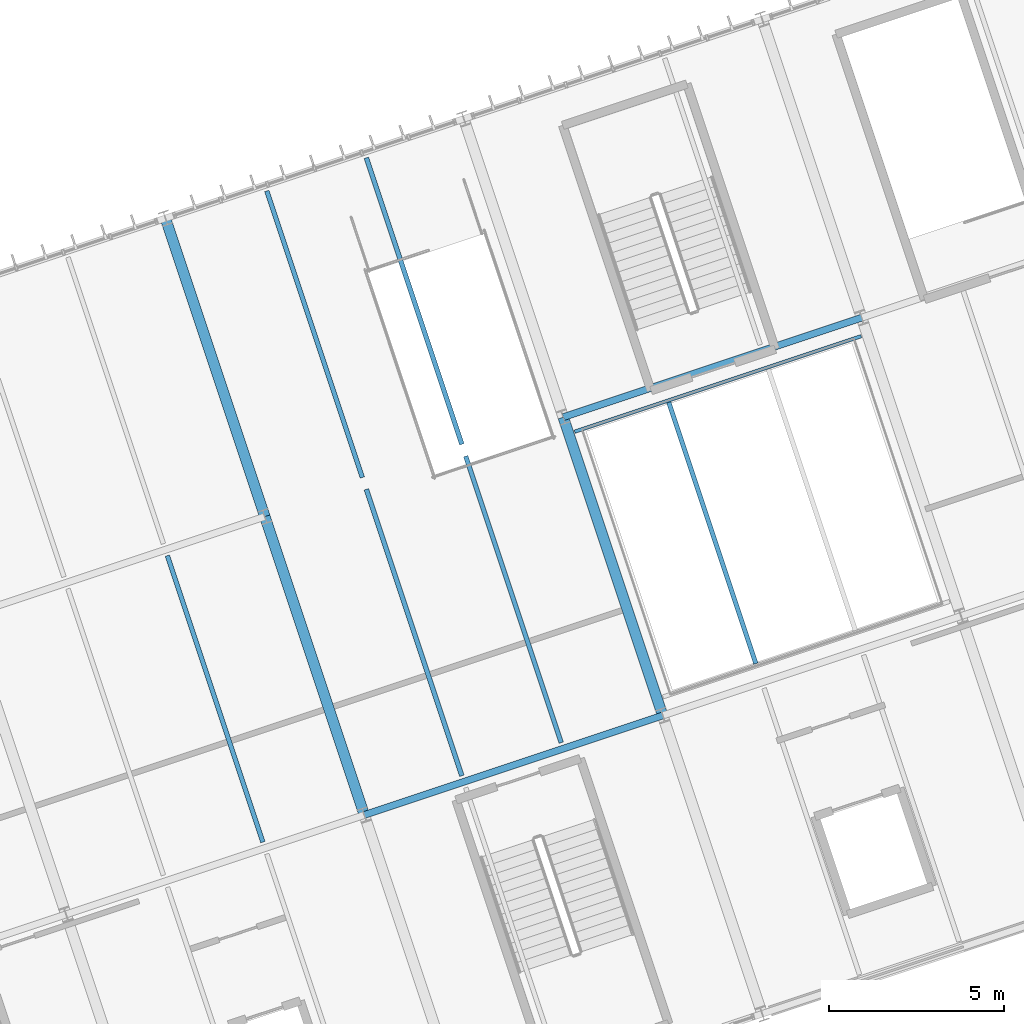
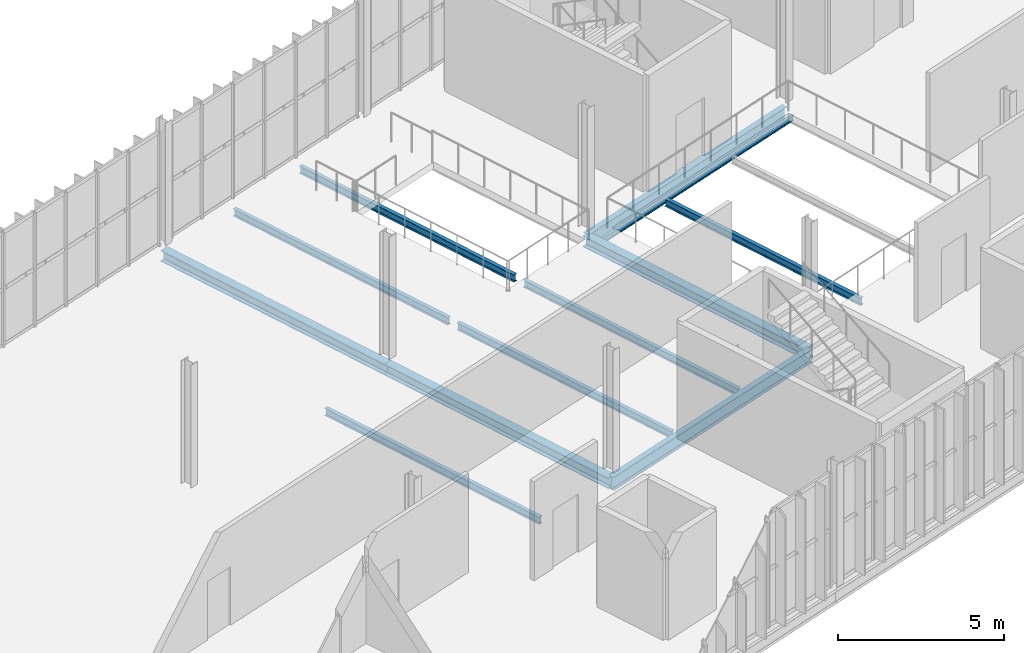
# One storey, part 35 of 152: 12 beams.
"""IFC4 building model written with IfcOpenShell, lengths in metres."""

import ifcopenshell
import ifcopenshell.guid

model = None  # the IFC model being written
_history = None  # IfcOwnerHistory: only IFC2X3 demands one
_inside = {}  # id of a spatial element -> (the spatial element, [elements in it])
_under = {}  # id of a project, library or spatial element -> (it, [spatial elements below it])
_declared = {}  # id of a project -> (the project, [libraries it declares])
_typed = {}  # id of a type object -> (the type object, [elements of that type])
_made_of = {}  # id of a material, layer set ... -> (it, [elements and type objects made of it])


def new_model(schema):
    """Start an empty IFC model of exactly this schema.

    Asked for "IFC4X3", IfcOpenShell would pick the latest addendum, in which some entities
    have other attributes; the version numbers below select the first issue.
    IFC2X3 requires an IfcOwnerHistory on every rooted entity: one is made here for all.
    """
    global model, _history
    if schema == "IFC4X3":
        model = ifcopenshell.file(schema_version=(4, 3, 0, 0))
    else:
        model = ifcopenshell.file(schema=schema)
    _inside.clear()
    _under.clear()
    _declared.clear()
    _typed.clear()
    _made_of.clear()
    _history = None
    if model.schema == "IFC2X3":
        org = make("IfcOrganization", Name="unknown")
        user = make(
            "IfcPersonAndOrganization",
            ThePerson=make("IfcPerson", FamilyName="unknown"),
            TheOrganization=org,
        )
        app = make(
            "IfcApplication",
            ApplicationDeveloper=org,
            Version="unknown",
            ApplicationFullName="unknown",
            ApplicationIdentifier="unknown",
        )
        _history = make(
            "IfcOwnerHistory",
            OwningUser=user,
            OwningApplication=app,
            ChangeAction="ADDED",
            CreationDate=0,
        )
    return model


def make(cls, **values):
    """One entity of the class cls with the attributes given. An attribute that is None is left unset."""
    return model.create_entity(
        cls, **{name: value for name, value in values.items() if value is not None}
    )


def rooted(cls, **values):
    """An entity with a GlobalId (a new one), such as an element, a storey or a relation."""
    return make(cls, GlobalId=ifcopenshell.guid.new(), OwnerHistory=_history, **values)


def si_unit(unit_type, name, prefix=None):
    """IfcSIUnit, for example si_unit("LENGTHUNIT", "METRE", prefix="MILLI")."""
    return make("IfcSIUnit", UnitType=unit_type, Prefix=prefix, Name=name)


def derived_unit(unit_type, elements):
    """IfcDerivedUnit: a product of units, each with its exponent."""
    return make(
        "IfcDerivedUnit",
        Elements=[
            make("IfcDerivedUnitElement", Unit=unit, Exponent=power)
            for unit, power in elements
        ],
        UnitType=unit_type,
    )


def assignment(units):
    """IfcUnitAssignment: the units of a project."""
    return None if units is None else make("IfcUnitAssignment", Units=units)


def point(xyz):
    """IfcCartesianPoint."""
    return None if xyz is None else make("IfcCartesianPoint", Coordinates=xyz)


def direction(xyz):
    """IfcDirection."""
    return None if xyz is None else make("IfcDirection", DirectionRatios=xyz)


def frame(location, z_axis=None, x_axis=None):
    """IfcAxis2Placement3D, a coordinate frame: its origin and axes. An axis left out is left unset."""
    return make(
        "IfcAxis2Placement3D",
        Location=point(location),
        Axis=direction(z_axis),
        RefDirection=direction(x_axis),
    )


def frame_2d(location, x_axis=None):
    """IfcAxis2Placement2D, a coordinate frame in the plane: its origin and x axis."""
    return make(
        "IfcAxis2Placement2D", Location=point(location), RefDirection=direction(x_axis)
    )


def origin():
    """The frame at (0, 0, 0) with its axes left unset."""
    return frame((0.0, 0.0, 0.0))


def origin_2d():
    """The frame at (0, 0) in the plane with its x axis left unset."""
    return frame_2d((0.0, 0.0))


def place(relative_to, where):
    """IfcLocalPlacement: puts the frame where relative to a parent placement (None: the world)."""
    return make(
        "IfcLocalPlacement", PlacementRelTo=relative_to, RelativePlacement=where
    )


def context(
    kind, dimensions, precision=None, world=None, true_north=None, identifier=None
):
    """IfcGeometricRepresentationContext, for example the 3D "Model" context."""
    return make(
        "IfcGeometricRepresentationContext",
        ContextIdentifier=identifier,
        ContextType=kind,
        CoordinateSpaceDimension=dimensions,
        Precision=precision,
        WorldCoordinateSystem=world,
        TrueNorth=true_north,
    )


def subcontext(parent, identifier, kind, view, scale=None):
    """IfcGeometricRepresentationSubContext, for example "Body" below "Model"."""
    return make(
        "IfcGeometricRepresentationSubContext",
        ContextIdentifier=identifier,
        ContextType=kind,
        ParentContext=parent,
        TargetScale=scale,
        TargetView=view,
    )


def project(units=None, contexts=None):
    """IfcProject with its units and contexts."""
    return rooted(
        "IfcProject",
        Name="project",
        RepresentationContexts=contexts,
        UnitsInContext=assignment(units),
    )


def spatial(cls, under=None, at=None, **own):
    """A site, building, storey or space (cls), placed at a placement, below another one or the project."""
    s = rooted(cls, ObjectPlacement=at, **own)
    if under is not None:
        _under.setdefault(under.id(), (under, []))[1].append(s)
    return s


def profile(cls, at=None, kind="AREA", **sizes):
    """A parametric profile (cls). Its sizes go by their IFC names, for example OverallWidth=200.0."""
    return make(cls, ProfileType=kind, Position=at, **sizes)


def i_section(**sizes):
    """IfcIShapeProfileDef."""
    return profile("IfcIShapeProfileDef", **sizes)


def extrude(swept, where, along, depth):
    """IfcExtrudedAreaSolid: the profile swept, set in the frame where, extruded along a direction by depth."""
    return make(
        "IfcExtrudedAreaSolid",
        SweptArea=swept,
        Position=where,
        ExtrudedDirection=direction(along),
        Depth=depth,
    )


def shape(context_of_items, identifier, shape_type, items):
    """IfcShapeRepresentation: the items that make up one representation, for example the "Body"."""
    return make(
        "IfcShapeRepresentation",
        ContextOfItems=context_of_items,
        RepresentationIdentifier=identifier,
        RepresentationType=shape_type,
        Items=items,
    )


def material(Name=None, Category=None):
    """IfcMaterial."""
    return make("IfcMaterial", Name=Name, Category=Category)


def material_profile(
    of_material, cross_section, Name=None, Category=None, Priority=None
):
    """IfcMaterialProfile: a cross section and its material."""
    return make(
        "IfcMaterialProfile",
        Name=Name,
        Material=of_material,
        Profile=cross_section,
        Priority=Priority,
        Category=Category,
    )


def profile_set(profiles, Name=None, composite=None):
    """IfcMaterialProfileSet."""
    return make(
        "IfcMaterialProfileSet",
        Name=Name,
        MaterialProfiles=profiles,
        CompositeProfile=composite,
    )


def made_of(thing, what):
    """Note that an element or type object is made of a material, layer set ...; save() writes the relation."""
    if what is not None:
        _made_of.setdefault(what.id(), (what, []))[1].append(thing)
    return thing


def type_object(cls, material=None, **own):
    """A type object (cls), such as IfcWallType, which elements share."""
    return made_of(rooted(cls, **own), material)


def element(
    cls,
    number,
    at=None,
    inside=None,
    cuts=None,
    type_object=None,
    material=None,
    context=None,
    identifier="Body",
    shape_type=None,
    held_by="IfcProductDefinitionShape",
    body=None,
    shapes=None,
    **own,
):
    """One element of the class cls, such as IfcWall. Its Tag is "e" and its number.

    at: its placement. inside: the storey or other place that contains it. cuts: it is an
    opening in that element (IfcRelVoidsElement). A single representation is given by context,
    identifier, shape_type and body (its items); several are given by shapes. held_by: the class
    of the entity that holds the representations. save() writes the other relations.
    """
    e = rooted(cls, Tag="e%d" % number, ObjectPlacement=at, **own)
    if body is not None:
        shapes = [shape(context, identifier, shape_type, body)]
    if shapes is not None:
        e.Representation = make(held_by, Representations=shapes)
    if inside is not None:
        _inside.setdefault(inside.id(), (inside, []))[1].append(e)
    if cuts is not None:
        rooted(
            "IfcRelVoidsElement", RelatingBuildingElement=cuts, RelatedOpeningElement=e
        )
    if type_object is not None:
        _typed.setdefault(type_object.id(), (type_object, []))[1].append(e)
    return made_of(e, material)


def aggregate(whole, parts):
    """IfcRelAggregates: a whole, such as a stair, and the parts it consists of."""
    return rooted("IfcRelAggregates", RelatingObject=whole, RelatedObjects=parts)


def save(model, path):
    """Write the relations noted so far, then the file.

    IfcRelAggregates (storeys below a building ...), IfcRelContainedInSpatialStructure (elements
    in a storey), IfcRelDefinesByType, IfcRelAssociatesMaterial and IfcRelDeclares: one each for
    every whole, place, type object, material and project.
    """
    for whole, parts in _under.values():
        aggregate(whole, parts)
    for where, things in _inside.values():
        rooted(
            "IfcRelContainedInSpatialStructure",
            RelatedElements=things,
            RelatingStructure=where,
        )
    for kind, things in _typed.values():
        rooted("IfcRelDefinesByType", RelatedObjects=things, RelatingType=kind)
    for what, things in _made_of.values():
        rooted("IfcRelAssociatesMaterial", RelatedObjects=things, RelatingMaterial=what)
    for by, libraries in _declared.values():
        rooted("IfcRelDeclares", RelatingContext=by, RelatedDefinitions=libraries)
    model.write(path)


model = new_model("IFC4")

# Units and contexts
model_context = context("Model", 3, precision=1e-05, world=origin(), true_north=direction((0.0, 1.0)))
body_context = subcontext(model_context, "Body", "Model", "MODEL_VIEW")
ifc_project = project(units=[si_unit("LENGTHUNIT", "METRE"), si_unit("AREAUNIT", "SQUARE_METRE"), si_unit("VOLUMEUNIT", "CUBIC_METRE"), si_unit("PLANEANGLEUNIT", "RADIAN"), si_unit("MASSUNIT", "GRAM", prefix="KILO"), si_unit("THERMODYNAMICTEMPERATUREUNIT", "KELVIN"), si_unit("TIMEUNIT", "SECOND"), derived_unit("THERMALTRANSMITTANCEUNIT", [(si_unit("MASSUNIT", "GRAM", prefix="KILO"), 1), (si_unit("THERMODYNAMICTEMPERATUREUNIT", "KELVIN"), -1), (si_unit("TIMEUNIT", "SECOND"), -3)])], contexts=[model_context])

# Site, building, storey
site_placement = place(None, origin())
site = spatial("IfcSite", under=ifc_project, at=site_placement, CompositionType="ELEMENT")
building_placement = place(site_placement, origin())
building = spatial("IfcBuilding", under=site, at=building_placement, Name="Cambertide Market Hall", CompositionType="ELEMENT")
storey_placement = place(building_placement, frame((0.0, 0.0, 5.39990234375)))
storey = spatial("IfcBuildingStorey", under=building, at=storey_placement, Name="L02", CompositionType="ELEMENT", Elevation=5.39990234375)

# Beams
ifc_material_1 = material(Name="Steel S355", Category="steel")
ifc_material_profile_1 = material_profile(ifc_material_1, i_section(OverallWidth=0.300048828125, OverallDepth=0.39990234375, WebThickness=0.013427734375, FlangeThickness=0.02392578125, FilletRadius=0.027099609375, at=origin_2d()), Name="HEB 400")
ifc_profile_set_1 = profile_set([ifc_material_profile_1], Name="Steel S355")
beam_type_1 = type_object("IfcBeamType", Name="Steel Girder HEB 400", PredefinedType="BEAM", material=ifc_profile_set_1)
for number, where, z_axis, x_axis, name in (
    (1, (128.768310546875, 29.076416015625, -0.449951171875), (-0.3162196279, 0.948686010717, 0.0), (-0.948686010717, -0.3162196279, 0.0), "Level 2 Beam BM-V3V-L02-4-2"),
    (2, (125.92236328125, 37.614501953125, -0.449951171875), (-0.3162196279, 0.948686010717, 0.0), (-0.948686010717, -0.3162196279, 0.0), "Level 2 Beam BM-V3V-L02-4-3"),
    (3, (137.306640625, 31.92236328125, -0.449951171875), (-0.31624404204, 0.948677872554, 0.0), (-0.948677872554, -0.31624404204, 0.0), "Level 2 Beam BM-V3V-L02-5-2"),
):
    element("IfcBeam", number, at=place(storey_placement, frame(where, z_axis=z_axis, x_axis=x_axis)), inside=storey, type_object=beam_type_1, Name=name, PredefinedType="BEAM", context=body_context, shape_type="SweptSolid", body=[
        extrude(i_section(OverallWidth=0.300048828125, OverallDepth=0.39990234375, WebThickness=0.013427734375, FlangeThickness=0.02392578125, FilletRadius=0.027099609375, at=origin_2d()), origin(), (0.0, 0.0, 1.0), 9.0),
    ])
ifc_material_2 = material(Name="Steel S355", Category="steel")
ifc_material_profile_2 = material_profile(ifc_material_2, i_section(OverallWidth=0.199951171875, OverallDepth=0.5, WebThickness=0.01025390625, FlangeThickness=0.01611328125, FilletRadius=0.02099609375, at=origin_2d()), Name="IPE 500")
ifc_profile_set_2 = profile_set([ifc_material_profile_2], Name="Steel S355")
beam_type_2 = type_object("IfcBeamType", Name="Steel Girder IPE 500", PredefinedType="BEAM", material=ifc_profile_set_2)
beam_1_placement = place(storey_placement, frame((128.768310546875, 29.076416015625, -0.5), z_axis=(0.948688723175, 0.316211490179, 0.0), x_axis=(-0.316211490179, 0.948688723175, 0.0)))
element("IfcBeam", 4, at=beam_1_placement, inside=storey, type_object=beam_type_2, Name="Level 2 Beam BM-V3U-L02-4-2", PredefinedType="BEAM", context=body_context, shape_type="SweptSolid", body=[
    extrude(i_section(OverallWidth=0.199951171875, OverallDepth=0.5, WebThickness=0.01025390625, FlangeThickness=0.01611328125, FilletRadius=0.02099609375, at=origin_2d()), origin(), (0.0, 0.0, 1.0), 9.000244140625),
])
beam_2_placement = place(storey_placement, frame((134.46044921875, 40.46044921875, -0.5), z_axis=(0.948677872554, 0.31624404204, 0.0), x_axis=(-0.31624404204, 0.948677872554, 0.0)))
element("IfcBeam", 5, at=beam_2_placement, inside=storey, type_object=beam_type_2, Name="Level 2 Beam BM-V3U-L02-5-3", PredefinedType="BEAM", context=body_context, shape_type="SweptSolid", body=[
    extrude(i_section(OverallWidth=0.199951171875, OverallDepth=0.5, WebThickness=0.01025390625, FlangeThickness=0.01611328125, FilletRadius=0.02099609375, at=origin_2d()), origin(), (0.0, 0.0, 1.0), 9.0),
])
ifc_material_3 = material(Name="Steel S275", Category="steel")
ifc_material_profile_3 = material_profile(ifc_material_3, i_section(OverallWidth=0.10009765625, OverallDepth=0.199951171875, WebThickness=0.005615234375, FlangeThickness=0.008544921875, FilletRadius=0.011962890625, at=origin_2d()), Name="IPE 200")
ifc_profile_set_3 = profile_set([ifc_material_profile_3], Name="Steel S275")
beam_type_3 = type_object("IfcBeamType", Name="Steel Secondary Joist IPE 200", PredefinedType="JOIST", material=ifc_profile_set_3)
beam_3_placement = place(storey_placement, frame((134.789306640625, 40.04296875, -0.349853515625), z_axis=(0.948677646635, 0.316244719758, 0.0), x_axis=(-0.316244719758, 0.948677646635, 0.0)))
element("IfcBeam", 6, at=beam_3_placement, inside=storey, type_object=beam_type_3, Name="Level 2 Joist TRIM-V3-ATR-2", PredefinedType="JOIST", context=body_context, shape_type="SweptSolid", body=[
    extrude(i_section(OverallWidth=0.10009765625, OverallDepth=0.199951171875, WebThickness=0.005615234375, FlangeThickness=0.008544921875, FilletRadius=0.011962890625, at=origin_2d()), origin(), (0.0, 0.0, 1.0), 8.64013671875),
])
ifc_material_4 = material(Name="Steel S275", Category="steel")
ifc_material_profile_4 = material_profile(ifc_material_4, i_section(OverallWidth=0.135009765625, OverallDepth=0.27001953125, WebThickness=0.006591796875, FlangeThickness=0.01025390625, FilletRadius=0.014892578125, at=origin_2d()), Name="IPE 270")
ifc_profile_set_4 = profile_set([ifc_material_profile_4], Name="Steel S275")
beam_type_4 = type_object("IfcBeamType", Name="Steel Secondary Joist IPE 270", PredefinedType="JOIST", material=ifc_profile_set_4)
beam_4_placement = place(storey_placement, frame((125.865478515625, 28.29833984375, -0.385009765625), z_axis=(-0.316219289033, 0.94868612367, 0.0), x_axis=(-0.94868612367, -0.316219289033, 0.0)))
element("IfcBeam", 7, at=beam_4_placement, inside=storey, type_object=beam_type_4, Name="Level 2 Joist JS-V3-L02-3-2-2", PredefinedType="JOIST", context=body_context, shape_type="SweptSolid", body=[
    extrude(i_section(OverallWidth=0.135009765625, OverallDepth=0.27001953125, WebThickness=0.006591796875, FlangeThickness=0.01025390625, FilletRadius=0.014892578125, at=origin_2d()), origin(), (0.0, 0.0, 1.0), 8.64013671875),
])
for number, where, z_axis, x_axis, name in (
    (8, (131.5576171875, 30.19580078125, -0.385009765625), (-0.316227766017, 0.948683298051, 0.0), (-0.948683298051, -0.316227766017, 0.0), "Level 2 Joist JS-V3-L02-4-2-1"),
    (9, (134.403564453125, 31.14453125, -0.385009765625), (-0.316227766017, 0.948683298051, 0.0), (-0.948683298051, -0.316227766017, 0.0), "Level 2 Joist JS-V3-L02-4-2-2"),
    (10, (128.71142578125, 38.73388671875, -0.385009765625), (-0.316227766017, 0.948683298051, 0.0), (-0.948683298051, -0.316227766017, 0.0), "Level 2 Joist JS-V3-L02-4-3-1"),
    (11, (131.5576171875, 39.6826171875, -0.385009765625), (-0.316227766017, 0.948683298051, 0.0), (-0.948683298051, -0.316227766017, 0.0), "Level 2 Joist JS-V3-L02-4-3-2"),
):
    element("IfcBeam", number, at=place(storey_placement, frame(where, z_axis=z_axis, x_axis=x_axis)), inside=storey, type_object=beam_type_4, Name=name, PredefinedType="JOIST", context=body_context, shape_type="SweptSolid", body=[
        extrude(i_section(OverallWidth=0.135009765625, OverallDepth=0.27001953125, WebThickness=0.006591796875, FlangeThickness=0.01025390625, FilletRadius=0.014892578125, at=origin_2d()), origin(), (0.0, 0.0, 1.0), 8.639892578125),
    ])
beam_5_placement = place(storey_placement, frame((139.973876953125, 33.406982421875, -0.385009765625), z_axis=(-0.316237060713, 0.948680199768, 0.0), x_axis=(-0.948680199768, -0.316237060713, 0.0)))
element("IfcBeam", 12, at=beam_5_placement, inside=storey, type_object=beam_type_4, Name="Level 2 Joist JS-V3-L02-5-2-1", PredefinedType="JOIST", context=body_context, shape_type="SweptSolid", body=[
    extrude(i_section(OverallWidth=0.135009765625, OverallDepth=0.27001953125, WebThickness=0.006591796875, FlangeThickness=0.01025390625, FilletRadius=0.014892578125, at=origin_2d()), origin(), (0.0, 0.0, 1.0), 7.8798828125),
])

save(model, "model.ifc")
